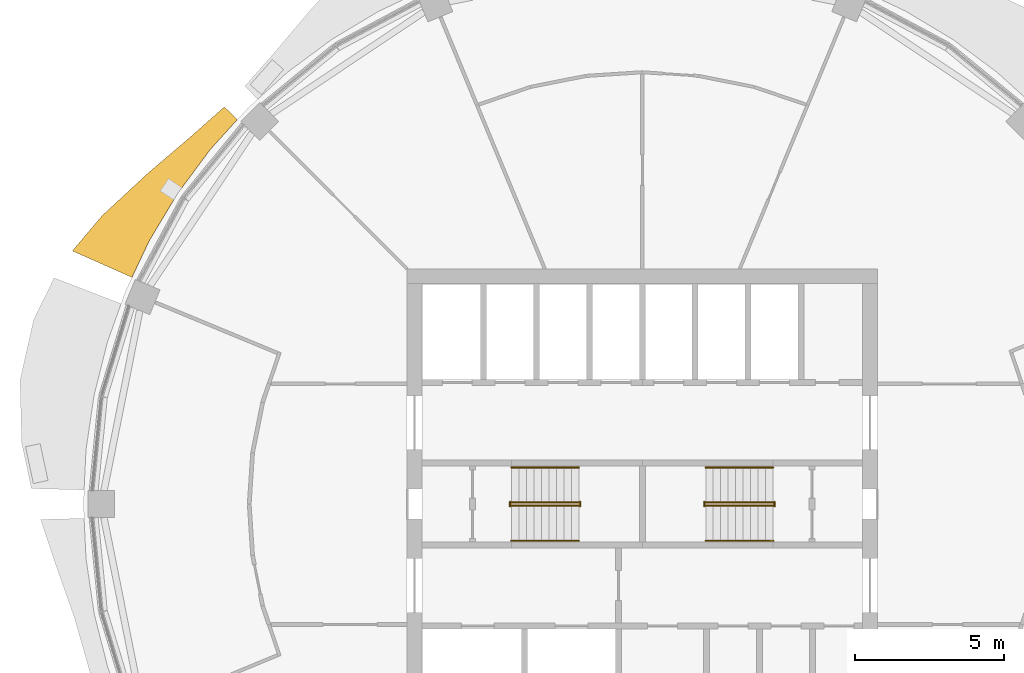
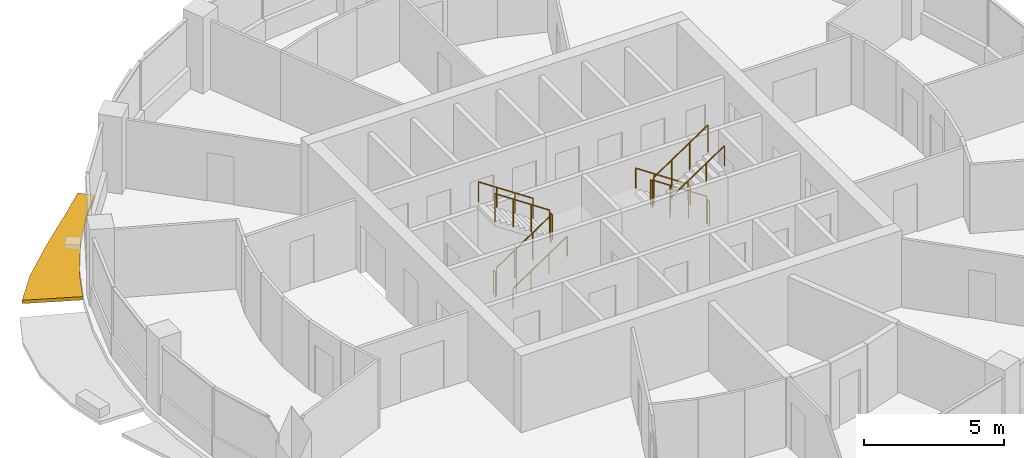
# One storey, part 13 of 15: 12 railings, 1 shading device.
"""IFC4 building model written with IfcOpenShell, lengths in metres."""

from ifc_helpers import new_model, si_unit, direction, frame, origin, origin_2d, place, context, subcontext, project, spatial, polyline, circle, outline, extrude, material, type_object, element, save


model = new_model("IFC4")

# Units and contexts
model_context = context("Model", 3, precision=1e-05, world=origin(), true_north=direction((0.0, 1.0)))
body_context = subcontext(model_context, "Body", "Model", "MODEL_VIEW")
ifc_project = project(units=[si_unit("LENGTHUNIT", "METRE"), si_unit("AREAUNIT", "SQUARE_METRE"), si_unit("VOLUMEUNIT", "CUBIC_METRE"), si_unit("PLANEANGLEUNIT", "RADIAN"), si_unit("MASSUNIT", "GRAM", prefix="KILO")], contexts=[model_context])

# Site, building, storey
site_placement = place(None, origin())
site = spatial("IfcSite", under=ifc_project, at=site_placement, CompositionType="ELEMENT")
building_placement = place(site_placement, origin())
building = spatial("IfcBuilding", under=site, at=building_placement, Name="Polderwave Tower", CompositionType="ELEMENT")
storey_placement = place(building_placement, frame((0.0, 0.0, 170.89990234375)))
storey = spatial("IfcBuildingStorey", under=building, at=storey_placement, Name="L45", CompositionType="ELEMENT", Elevation=170.89990234375)

# Railings
ifc_material_1 = material(Name="Stainless steel", Category="steel")
railing_type_1 = type_object("IfcRailingType", Name="Stair guard 1100", PredefinedType="GUARDRAIL", material=ifc_material_1)
railing_1_placement = place(storey_placement, frame((-4.3740234375, -0.051025390625, 0.04736328125)))
element("IfcRailing", 1, at=railing_1_placement, inside=storey, type_object=railing_type_1, Name="L45 ST-A stair guard 1", PredefinedType="GUARDRAIL", context=body_context, shape_type="SweptSolid", body=[
    extrude(circle(Radius=0.02392578125, at=origin_2d()), frame((0.0, 0.0, 1.1962890625), z_axis=(0.830758306289, 0.0, 0.556633305266), x_axis=(0.0, 1.0, 0.0)), (0.0, 0.0, 1.0), 2.708251953125),
    extrude(circle(Radius=0.02392578125, at=origin_2d()), origin(), (0.0, 0.0, 1.0), 1.172119140625),
    extrude(circle(Radius=0.02392578125, at=origin_2d()), frame((0.75, 0.0, 0.50244140625)), (0.0, 0.0, 1.0), 1.172119140625),
    extrude(circle(Radius=0.02392578125, at=origin_2d()), frame((1.5, 0.0, 1.005126953125)), (0.0, 0.0, 1.0), 1.172119140625),
    extrude(circle(Radius=0.02392578125, at=origin_2d()), frame((2.25, 0.0, 1.507568359375)), (0.0, 0.0, 1.0), 1.172119140625),
])
railing_2_placement = place(storey_placement, frame((-2.073974609375, -0.074951171875, 1.675048828125)))
element("IfcRailing", 2, at=railing_2_placement, inside=storey, type_object=railing_type_1, Name="L45 ST-A stair guard 2", PredefinedType="GUARDRAIL", context=body_context, shape_type="SweptSolid", body=[
    extrude(circle(Radius=0.02392578125, at=origin_2d()), frame((0.0, 0.0, 1.076171875), z_axis=(0.0, 1.0, 0.0), x_axis=(-1.0, 0.0, 0.0)), (0.0, 0.0, 1.0), 0.14990234375),
    extrude(circle(Radius=0.02099609375, at=origin_2d()), origin(), (0.0, 0.0, 1.0), 1.052001953125),
    extrude(circle(Radius=0.02099609375, at=origin_2d()), frame((0.0, 0.14990234375, 0.0)), (0.0, 0.0, 1.0), 1.052001953125),
])
railing_3_placement = place(storey_placement, frame((-2.1240234375, 0.051025390625, 1.722412109375)))
element("IfcRailing", 3, at=railing_3_placement, inside=storey, type_object=railing_type_1, Name="L45 ST-A stair guard 3", PredefinedType="GUARDRAIL", context=body_context, shape_type="SweptSolid", body=[
    extrude(circle(Radius=0.02392578125, at=origin_2d()), frame((0.0, 0.0, 1.1962890625), z_axis=(-0.830758306289, 0.0, 0.556633305266), x_axis=(0.0, -1.0, 0.0)), (0.0, 0.0, 1.0), 2.708251953125),
    extrude(circle(Radius=0.02392578125, at=origin_2d()), origin(), (0.0, 0.0, 1.0), 1.172119140625),
    extrude(circle(Radius=0.02392578125, at=origin_2d()), frame((-0.75, 0.0, 0.50244140625)), (0.0, 0.0, 1.0), 1.172119140625),
    extrude(circle(Radius=0.02392578125, at=origin_2d()), frame((-1.5, 0.0, 1.005126953125)), (0.0, 0.0, 1.0), 1.172119140625),
    extrude(circle(Radius=0.02392578125, at=origin_2d()), frame((-2.25, 0.0, 1.507568359375)), (0.0, 0.0, 1.0), 1.172119140625),
])
railing_4_placement = place(storey_placement, frame((-4.424072265625, -0.074951171875, 0.0)))
element("IfcRailing", 4, at=railing_4_placement, inside=storey, type_object=railing_type_1, Name="L45 ST-A stair guard 4", PredefinedType="GUARDRAIL", context=body_context, shape_type="SweptSolid", body=[
    extrude(circle(Radius=0.02392578125, at=origin_2d()), frame((0.0, 0.0, 1.076171875), z_axis=(0.0, 1.0, 0.0), x_axis=(-1.0, 0.0, 0.0)), (0.0, 0.0, 1.0), 0.14990234375),
    extrude(circle(Radius=0.02099609375, at=origin_2d()), origin(), (0.0, 0.0, 1.0), 1.052001953125),
    extrude(circle(Radius=0.02099609375, at=origin_2d()), frame((0.0, 0.14990234375, 0.0)), (0.0, 0.0, 1.0), 1.052001953125),
])
railing_5_placement = place(storey_placement, frame((4.3740234375, 0.051025390625, 0.04736328125)))
element("IfcRailing", 5, at=railing_5_placement, inside=storey, type_object=railing_type_1, Name="L45 ST-B stair guard 1", PredefinedType="GUARDRAIL", context=body_context, shape_type="SweptSolid", body=[
    extrude(circle(Radius=0.02392578125, at=origin_2d()), frame((0.0, 0.0, 1.1962890625), z_axis=(-0.830758306289, 0.0, 0.556633305266), x_axis=(0.0, -1.0, 0.0)), (0.0, 0.0, 1.0), 2.708251953125),
    extrude(circle(Radius=0.02392578125, at=origin_2d()), origin(), (0.0, 0.0, 1.0), 1.172119140625),
    extrude(circle(Radius=0.02392578125, at=origin_2d()), frame((-0.75, 0.0, 0.50244140625)), (0.0, 0.0, 1.0), 1.172119140625),
    extrude(circle(Radius=0.02392578125, at=origin_2d()), frame((-1.5, 0.0, 1.005126953125)), (0.0, 0.0, 1.0), 1.172119140625),
    extrude(circle(Radius=0.02392578125, at=origin_2d()), frame((-2.25, 0.0, 1.507568359375)), (0.0, 0.0, 1.0), 1.172119140625),
])
railing_6_placement = place(storey_placement, frame((2.073974609375, 0.074951171875, 1.675048828125)))
element("IfcRailing", 6, at=railing_6_placement, inside=storey, type_object=railing_type_1, Name="L45 ST-B stair guard 2", PredefinedType="GUARDRAIL", context=body_context, shape_type="SweptSolid", body=[
    extrude(circle(Radius=0.02392578125, at=origin_2d()), frame((0.0, 0.0, 1.076171875), z_axis=(0.0, -1.0, 0.0), x_axis=(1.0, 0.0, 0.0)), (0.0, 0.0, 1.0), 0.14990234375),
    extrude(circle(Radius=0.02099609375, at=origin_2d()), origin(), (0.0, 0.0, 1.0), 1.052001953125),
    extrude(circle(Radius=0.02099609375, at=origin_2d()), frame((0.0, -0.14990234375, 0.0)), (0.0, 0.0, 1.0), 1.052001953125),
])
railing_7_placement = place(storey_placement, frame((2.1240234375, -0.051025390625, 1.722412109375)))
element("IfcRailing", 7, at=railing_7_placement, inside=storey, type_object=railing_type_1, Name="L45 ST-B stair guard 3", PredefinedType="GUARDRAIL", context=body_context, shape_type="SweptSolid", body=[
    extrude(circle(Radius=0.02392578125, at=origin_2d()), frame((0.0, 0.0, 1.1962890625), z_axis=(0.830758306289, 0.0, 0.556633305266), x_axis=(0.0, 1.0, 0.0)), (0.0, 0.0, 1.0), 2.708251953125),
    extrude(circle(Radius=0.02392578125, at=origin_2d()), origin(), (0.0, 0.0, 1.0), 1.172119140625),
    extrude(circle(Radius=0.02392578125, at=origin_2d()), frame((0.75, 0.0, 0.50244140625)), (0.0, 0.0, 1.0), 1.172119140625),
    extrude(circle(Radius=0.02392578125, at=origin_2d()), frame((1.5, 0.0, 1.005126953125)), (0.0, 0.0, 1.0), 1.172119140625),
    extrude(circle(Radius=0.02392578125, at=origin_2d()), frame((2.25, 0.0, 1.507568359375)), (0.0, 0.0, 1.0), 1.172119140625),
])
railing_8_placement = place(storey_placement, frame((4.424072265625, 0.074951171875, 0.0)))
element("IfcRailing", 8, at=railing_8_placement, inside=storey, type_object=railing_type_1, Name="L45 ST-B stair guard 4", PredefinedType="GUARDRAIL", context=body_context, shape_type="SweptSolid", body=[
    extrude(circle(Radius=0.02392578125, at=origin_2d()), frame((0.0, 0.0, 1.076171875), z_axis=(0.0, -1.0, 0.0), x_axis=(1.0, 0.0, 0.0)), (0.0, 0.0, 1.0), 0.14990234375),
    extrude(circle(Radius=0.02099609375, at=origin_2d()), origin(), (0.0, 0.0, 1.0), 1.052001953125),
    extrude(circle(Radius=0.02099609375, at=origin_2d()), frame((0.0, -0.14990234375, 0.0)), (0.0, 0.0, 1.0), 1.052001953125),
])
railing_type_2 = type_object("IfcRailingType", Name="Stair handrail 900", PredefinedType="HANDRAIL", material=ifc_material_1)
railing_9_placement = place(storey_placement, frame((-4.3740234375, -1.22509765625, 0.16748046875)))
element("IfcRailing", 9, at=railing_9_placement, inside=storey, type_object=railing_type_2, Name="L45 ST-A stair handrail 1", PredefinedType="HANDRAIL", context=body_context, shape_type="SweptSolid", body=[
    extrude(circle(Radius=0.02392578125, at=origin_2d()), frame((0.0, 0.0, 0.8759765625), z_axis=(0.830758306289, 0.0, 0.556633305266), x_axis=(0.0, 1.0, 0.0)), (0.0, 0.0, 1.0), 2.708251953125),
    extrude(circle(Radius=0.02099609375, at=origin_2d()), origin(), (0.0, 0.0, 1.0), 0.851806640625),
    extrude(circle(Radius=0.02099609375, at=origin_2d()), frame((0.75, 0.0, 0.50244140625)), (0.0, 0.0, 1.0), 0.851806640625),
    extrude(circle(Radius=0.02099609375, at=origin_2d()), frame((1.5, 0.0, 1.005126953125)), (0.0, 0.0, 1.0), 0.851806640625),
    extrude(circle(Radius=0.02099609375, at=origin_2d()), frame((2.25, 0.0, 1.507568359375)), (0.0, 0.0, 1.0), 0.851806640625),
])
for number, where, name in (
    (10, (-2.1240234375, 1.22509765625, 1.842529296875), "L45 ST-A stair handrail 2"),
    (11, (4.3740234375, 1.22509765625, 0.16748046875), "L45 ST-B stair handrail 1"),
):
    element("IfcRailing", number, at=place(storey_placement, frame(where)), inside=storey, type_object=railing_type_2, Name=name, PredefinedType="HANDRAIL", context=body_context, shape_type="SweptSolid", body=[
        extrude(circle(Radius=0.02392578125, at=origin_2d()), frame((0.0, 0.0, 0.8759765625), z_axis=(-0.830758306289, 0.0, 0.556633305266), x_axis=(0.0, -1.0, 0.0)), (0.0, 0.0, 1.0), 2.708251953125),
        extrude(circle(Radius=0.02099609375, at=origin_2d()), origin(), (0.0, 0.0, 1.0), 0.851806640625),
        extrude(circle(Radius=0.02099609375, at=origin_2d()), frame((-0.75, 0.0, 0.50244140625)), (0.0, 0.0, 1.0), 0.851806640625),
        extrude(circle(Radius=0.02099609375, at=origin_2d()), frame((-1.5, 0.0, 1.005126953125)), (0.0, 0.0, 1.0), 0.851806640625),
        extrude(circle(Radius=0.02099609375, at=origin_2d()), frame((-2.25, 0.0, 1.507568359375)), (0.0, 0.0, 1.0), 0.851806640625),
    ])
railing_10_placement = place(storey_placement, frame((2.1240234375, -1.22509765625, 1.842529296875)))
element("IfcRailing", 12, at=railing_10_placement, inside=storey, type_object=railing_type_2, Name="L45 ST-B stair handrail 2", PredefinedType="HANDRAIL", context=body_context, shape_type="SweptSolid", body=[
    extrude(circle(Radius=0.02392578125, at=origin_2d()), frame((0.0, 0.0, 0.8759765625), z_axis=(0.830758306289, 0.0, 0.556633305266), x_axis=(0.0, 1.0, 0.0)), (0.0, 0.0, 1.0), 2.708251953125),
    extrude(circle(Radius=0.02099609375, at=origin_2d()), origin(), (0.0, 0.0, 1.0), 0.851806640625),
    extrude(circle(Radius=0.02099609375, at=origin_2d()), frame((0.75, 0.0, 0.50244140625)), (0.0, 0.0, 1.0), 0.851806640625),
    extrude(circle(Radius=0.02099609375, at=origin_2d()), frame((1.5, 0.0, 1.005126953125)), (0.0, 0.0, 1.0), 0.851806640625),
    extrude(circle(Radius=0.02099609375, at=origin_2d()), frame((2.25, 0.0, 1.507568359375)), (0.0, 0.0, 1.0), 0.851806640625),
])

# Shading device
ifc_material_2 = material(Name="Terracotta", Category="masonry")
shading_device_type = type_object("IfcShadingDeviceType", Name="Terracotta sunshade band", PredefinedType="USERDEFINED", material=ifc_material_2)
shading_device_placement = place(storey_placement, frame((0.0, 0.0, -0.349853515625)))
element("IfcShadingDevice", 13, at=shading_device_placement, inside=storey, type_object=shading_device_type, Name="Sunshade band L45 7", ObjectType="SUNSHADE", PredefinedType="USERDEFINED", context=body_context, shape_type="SweptSolid", body=[
    extrude(outline(polyline([(-13.543212890625, 12.86962890625), (-14.455322265625, 11.86328125), (-15.548583984375, 10.38916015625), (-16.491943359375, 8.815185546875), (-17.07275390625, 7.587158203125), (-19.06787109375, 8.473876953125), (-18.066650390625, 9.65673828125), (-16.55322265625, 11.060546875), (-15.04541015625, 12.347412109375), (-13.9853515625, 13.2900390625), (-13.543212890625, 12.86962890625)])), origin(), (0.0, 0.0, 1.0), 0.14990234375),
])

save(model, "model.ifc")
